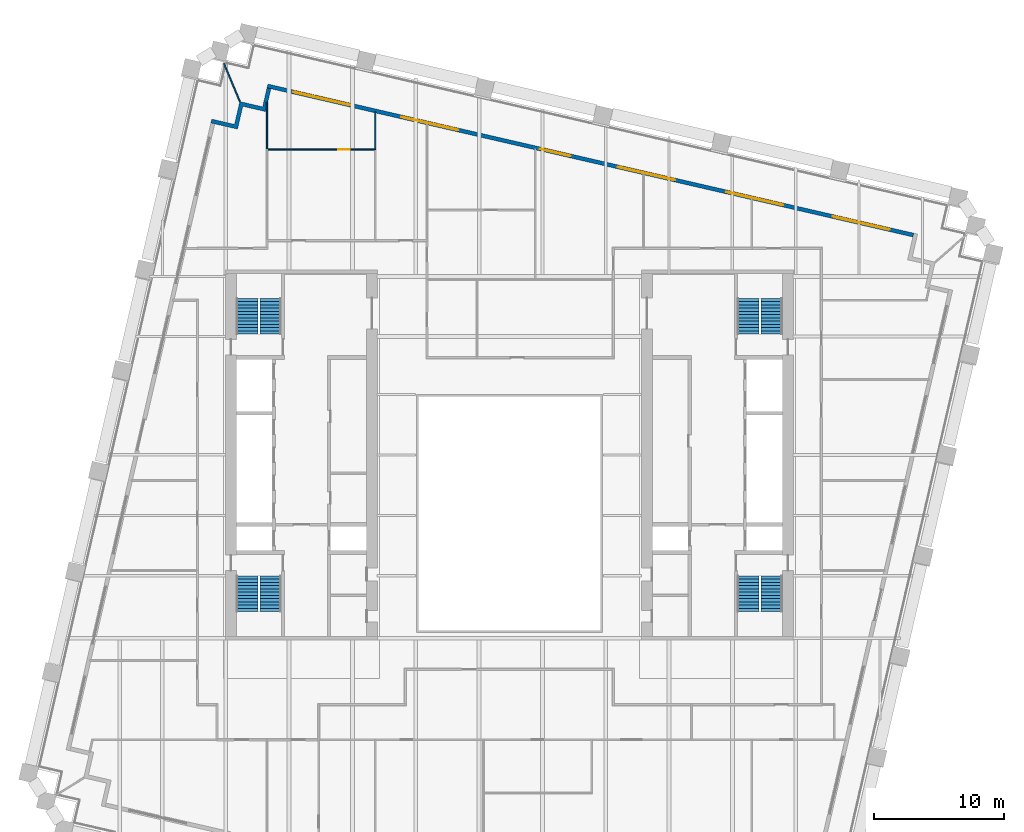
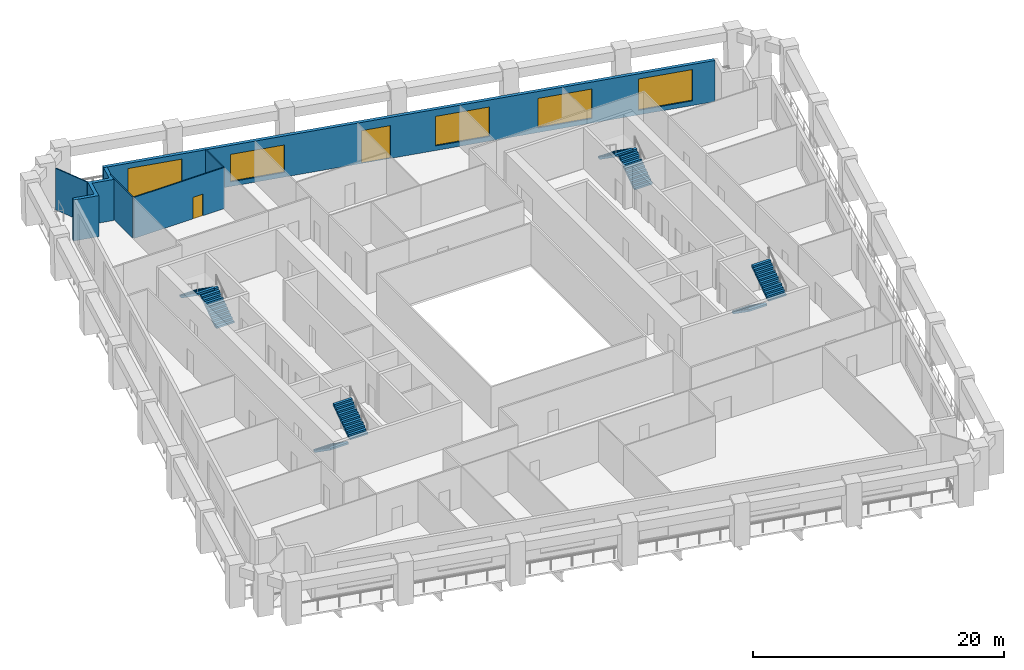
# One storey, part 9 of 11: 8 stair flights, 6 walls, 5 windows, 2 doors, 7 openings, 4 elements without a shape of their own.
"""IFC4 building model written with IfcOpenShell, lengths in metres."""

from ifc_helpers import new_model, si_unit, direction, frame, frame_2d, origin, place, context, subcontext, project, spatial, polyline, rectangle, outline, extrude, material, layer, layer_set, type_object, element, fill, aggregate, save


model = new_model("IFC4")

# Units and contexts
model_context = context("Model", 3, precision=1e-05, world=origin(), true_north=direction((0.0, 1.0)))
body_context = subcontext(model_context, "Body", "Model", "MODEL_VIEW")
ifc_project = project(units=[si_unit("LENGTHUNIT", "METRE"), si_unit("AREAUNIT", "SQUARE_METRE"), si_unit("VOLUMEUNIT", "CUBIC_METRE"), si_unit("PLANEANGLEUNIT", "RADIAN"), si_unit("MASSUNIT", "GRAM", prefix="KILO")], contexts=[model_context])

# Site, building, storey
site_placement = place(None, origin())
site = spatial("IfcSite", under=ifc_project, at=site_placement, CompositionType="ELEMENT")
building_placement = place(site_placement, origin())
building = spatial("IfcBuilding", under=site, at=building_placement, Name="Ogive Exchange Tower", CompositionType="ELEMENT")
storey_placement = place(building_placement, frame((0.0, 0.0, 109.800048828125)))
storey = spatial("IfcBuildingStorey", under=building, at=storey_placement, Name="L23", CompositionType="ELEMENT", Elevation=109.800048828125)

# Wall, openings, door, windows
ifc_material_1 = material(Name="Precast concrete C40/50", Category="concrete")
ifc_layer_1 = layer(ifc_material_1, 0.300048828125)
ifc_layer_set_1 = layer_set([ifc_layer_1], Name="Limestone-faced wall 300")
wall_type_1 = type_object("IfcWallType", Name="Limestone-faced wall 300", PredefinedType="STANDARD", material=ifc_layer_set_1)
wall_1_placement = place(storey_placement, frame((31.07763671875, 28.4208984375, 0.0), z_axis=(0.0, 0.0, 1.0), x_axis=(-0.974370456532, 0.224949357493, 0.0)))
wall_1 = element("IfcWall", 1, at=wall_1_placement, inside=storey, type_object=wall_type_1, Name="External wall N3", PredefinedType="STANDARD", context=body_context, shape_type="SweptSolid", body=[
    extrude(rectangle(XDim=51.0, YDim=0.300048828125, at=frame_2d((25.5, 0.0))), origin(), (0.0, 0.0, 1.0), 4.0),
])
opening_1_placement = place(wall_1_placement, frame((1.875, 0.0, 0.449951171875)))
opening_1 = element("IfcOpeningElement", 2, at=opening_1_placement, cuts=wall_1, Name="Opening W1", PredefinedType="OPENING", context=body_context, shape_type="SweptSolid", body=[
    extrude(rectangle(XDim=4.5, YDim=3.050048828125, at=frame_2d((2.25, 1.52490234375))), frame((0.0, 0.159912109375, 0.0), z_axis=(0.0, -1.0, 0.0), x_axis=(1.0, 0.0, 0.0)), (0.0, 0.0, 1.0), 0.320068359375),
])
opening_2_placement = place(wall_1_placement, frame((10.27490234375, 0.0, 0.449951171875)))
opening_2 = element("IfcOpeningElement", 3, at=opening_2_placement, cuts=wall_1, Name="Opening W1D", PredefinedType="OPENING", context=body_context, shape_type="SweptSolid", body=[
    extrude(rectangle(XDim=4.5, YDim=2.875, at=frame_2d((2.25, 1.4375))), frame((0.0, 0.159912109375, 0.0), z_axis=(0.0, -1.0, 0.0), x_axis=(1.0, 0.0, 0.0)), (0.0, 0.0, 1.0), 0.320068359375),
])
opening_3_placement = place(wall_1_placement, frame((18.824951171875, 0.0, 0.449951171875)))
opening_3 = element("IfcOpeningElement", 4, at=opening_3_placement, cuts=wall_1, Name="Opening W1D", PredefinedType="OPENING", context=body_context, shape_type="SweptSolid", body=[
    extrude(rectangle(XDim=4.5, YDim=2.875, at=frame_2d((2.25, 1.4375))), frame((0.0, 0.159912109375, 0.0), z_axis=(0.0, -1.0, 0.0), x_axis=(1.0, 0.0, 0.0)), (0.0, 0.0, 1.0), 0.320068359375),
])
opening_4_placement = place(wall_1_placement, frame((27.074951171875, 0.0, 0.0)))
opening_4 = element("IfcOpeningElement", 5, at=opening_4_placement, cuts=wall_1, Name="Opening D1H", PredefinedType="OPENING", context=body_context, shape_type="SweptSolid", body=[
    extrude(rectangle(XDim=2.39990234375, YDim=3.199951171875, at=frame_2d((1.199951171875, 1.60009765625))), frame((0.0, 0.159912109375, 0.0), z_axis=(0.0, -1.0, 0.0), x_axis=(1.0, 0.0, 0.0)), (0.0, 0.0, 1.0), 0.320068359375),
])
opening_5_placement = place(wall_1_placement, frame((35.925048828125, 0.0, 0.449951171875)))
opening_5 = element("IfcOpeningElement", 6, at=opening_5_placement, cuts=wall_1, Name="Opening W1J", PredefinedType="OPENING", context=body_context, shape_type="SweptSolid", body=[
    extrude(rectangle(XDim=4.5, YDim=2.675048828125, at=frame_2d((2.25, 1.33740234375))), frame((0.0, 0.159912109375, 0.0), z_axis=(0.0, -1.0, 0.0), x_axis=(1.0, 0.0, 0.0)), (0.0, 0.0, 1.0), 0.320068359375),
])
opening_6_placement = place(wall_1_placement, frame((44.47509765625, 0.0, 0.449951171875)))
opening_6 = element("IfcOpeningElement", 7, at=opening_6_placement, cuts=wall_1, Name="Opening W1", PredefinedType="OPENING", context=body_context, shape_type="SweptSolid", body=[
    extrude(rectangle(XDim=4.5, YDim=3.050048828125, at=frame_2d((2.25, 1.52490234375))), frame((0.0, 0.159912109375, 0.0), z_axis=(0.0, -1.0, 0.0), x_axis=(1.0, 0.0, 0.0)), (0.0, 0.0, 1.0), 0.320068359375),
])
ifc_material_2 = material(Name="Clear glass in bronze frame", Category="glass")
door_type_1 = type_object("IfcDoorType", Name="Sliding loggia door 2400 x 3200", OperationType="DOUBLE_DOOR_SLIDING", PredefinedType="DOOR", material=ifc_material_2)
door_1_placement = place(opening_4_placement, origin())
door_1 = element("IfcDoor", 8, at=door_1_placement, inside=storey, type_object=door_type_1, Name="Loggia door N03", OperationType="DOUBLE_DOOR_SLIDING", OverallHeight=3.199951171875, OverallWidth=2.39990234375, PredefinedType="DOOR", context=body_context, shape_type="SweptSolid", body=[
    extrude(rectangle(XDim=2.39990234375, YDim=3.199951171875, at=frame_2d((1.199951171875, 1.60009765625))), frame((0.0, 0.02490234375, 0.0), z_axis=(0.0, -1.0, 0.0), x_axis=(1.0, 0.0, 0.0)), (0.0, 0.0, 1.0), 0.050048828125),
])
fill(opening_4, door_1)
window_type_1 = type_object("IfcWindowType", Name="Twin lancet window 4500 x 2675", PartitioningType="DOUBLE_PANEL_VERTICAL", PredefinedType="WINDOW", material=ifc_material_2)
window_1_placement = place(opening_5_placement, origin())
window_1 = element("IfcWindow", 9, at=window_1_placement, inside=storey, type_object=window_type_1, Name="Window N04", OverallHeight=2.675048828125, OverallWidth=4.5, PartitioningType="DOUBLE_PANEL_VERTICAL", PredefinedType="WINDOW", context=body_context, shape_type="SweptSolid", body=[
    extrude(rectangle(XDim=4.5, YDim=2.675048828125, at=frame_2d((2.25, 1.33740234375))), frame((0.0, 0.030029296875, 0.0), z_axis=(0.0, -1.0, 0.0), x_axis=(1.0, 0.0, 0.0)), (0.0, 0.0, 1.0), 0.06005859375),
])
fill(opening_5, window_1)
window_type_2 = type_object("IfcWindowType", Name="Twin lancet window 4500 x 2875", PartitioningType="DOUBLE_PANEL_VERTICAL", PredefinedType="WINDOW", material=ifc_material_2)
window_2_placement = place(opening_2_placement, origin())
window_2 = element("IfcWindow", 10, at=window_2_placement, inside=storey, type_object=window_type_2, Name="Window N01", OverallHeight=2.875, OverallWidth=4.5, PartitioningType="DOUBLE_PANEL_VERTICAL", PredefinedType="WINDOW", context=body_context, shape_type="SweptSolid", body=[
    extrude(rectangle(XDim=4.5, YDim=2.875, at=frame_2d((2.25, 1.4375))), frame((0.0, 0.030029296875, 0.0), z_axis=(0.0, -1.0, 0.0), x_axis=(1.0, 0.0, 0.0)), (0.0, 0.0, 1.0), 0.06005859375),
])
fill(opening_2, window_2)
window_3_placement = place(opening_3_placement, origin())
window_3 = element("IfcWindow", 11, at=window_3_placement, inside=storey, type_object=window_type_2, Name="Window N02", OverallHeight=2.875, OverallWidth=4.5, PartitioningType="DOUBLE_PANEL_VERTICAL", PredefinedType="WINDOW", context=body_context, shape_type="SweptSolid", body=[
    extrude(rectangle(XDim=4.5, YDim=2.875, at=frame_2d((2.25, 1.4375))), frame((0.0, 0.030029296875, 0.0), z_axis=(0.0, -1.0, 0.0), x_axis=(1.0, 0.0, 0.0)), (0.0, 0.0, 1.0), 0.06005859375),
])
fill(opening_3, window_3)
window_type_3 = type_object("IfcWindowType", Name="Twin lancet window 4500 x 3050", PartitioningType="DOUBLE_PANEL_VERTICAL", PredefinedType="WINDOW", material=ifc_material_2)
window_4_placement = place(opening_1_placement, origin())
window_4 = element("IfcWindow", 12, at=window_4_placement, inside=storey, type_object=window_type_3, Name="Window N00", OverallHeight=3.050048828125, OverallWidth=4.5, PartitioningType="DOUBLE_PANEL_VERTICAL", PredefinedType="WINDOW", context=body_context, shape_type="SweptSolid", body=[
    extrude(rectangle(XDim=4.5, YDim=3.050048828125, at=frame_2d((2.25, 1.52490234375))), frame((0.0, 0.030029296875, 0.0), z_axis=(0.0, -1.0, 0.0), x_axis=(1.0, 0.0, 0.0)), (0.0, 0.0, 1.0), 0.06005859375),
])
fill(opening_1, window_4)
window_5_placement = place(opening_6_placement, origin())
window_5 = element("IfcWindow", 13, at=window_5_placement, inside=storey, type_object=window_type_3, Name="Window N05", OverallHeight=3.050048828125, OverallWidth=4.5, PartitioningType="DOUBLE_PANEL_VERTICAL", PredefinedType="WINDOW", context=body_context, shape_type="SweptSolid", body=[
    extrude(rectangle(XDim=4.5, YDim=3.050048828125, at=frame_2d((2.25, 1.52490234375))), frame((0.0, 0.030029296875, 0.0), z_axis=(0.0, -1.0, 0.0), x_axis=(1.0, 0.0, 0.0)), (0.0, 0.0, 1.0), 0.06005859375),
])
fill(opening_6, window_5)

# Walls
wall_2_placement = place(storey_placement, origin())
element("IfcWall", 14, at=wall_2_placement, inside=storey, type_object=wall_type_1, Name="External corner wall C3", PredefinedType="STANDARD", context=body_context, shape_type="SweptSolid", body=[
    extrude(outline(polyline([(-22.966552734375, 37.04931640625), (-22.89892578125, 37.341552734375), (-21.145263671875, 36.936767578125), (-20.740234375, 38.690673828125), (-18.986328125, 38.28564453125), (-18.64892578125, 39.747314453125), (-18.356689453125, 39.6796875), (-18.76171875, 37.92578125), (-20.515380859375, 38.330810546875), (-20.92041015625, 36.576904296875), (-22.966552734375, 37.04931640625)])), origin(), (0.0, 0.0, 1.0), 4.0),
])
ifc_material_3 = material(Name="Laminated safety glass in steel frame", Category="steel")
ifc_layer_2 = layer(ifc_material_3, 0.10009765625)
ifc_layer_set_2 = layer_set([ifc_layer_2], Name="Loggia end screen 100")
wall_type_2 = type_object("IfcWallType", Name="Loggia end screen 100", PredefinedType="STANDARD", material=ifc_layer_set_2)
wall_3_placement = place(storey_placement, frame((-20.740234375, 38.690673828125, -0.050048828125), z_axis=(0.0, 0.0, 1.0), x_axis=(-0.387594601634, 0.92182993268, 0.0)))
element("IfcWall", 15, at=wall_3_placement, inside=storey, type_object=wall_type_2, Name="Loggia end screen C3", PredefinedType="STANDARD", context=body_context, shape_type="SweptSolid", body=[
    extrude(rectangle(XDim=3.163330078125, YDim=0.10009765625, at=frame_2d((1.58154296875, 0.0))), origin(), (0.0, 0.0, 1.0), 4.050048828125),
])
ifc_material_4 = material(Name="Partition 100 gypsum")
ifc_layer_3 = layer(ifc_material_4, 0.10009765625)
ifc_layer_set_3 = layer_set([ifc_layer_3], Name="Partition 100 gypsum")
wall_type_3 = type_object("IfcWallType", Name="Partition 100 gypsum", PredefinedType="PARTITIONING", material=ifc_layer_set_3)
wall_4_placement = place(storey_placement, frame((-18.64990234375, 35.050048828125, 0.0), z_axis=(0.0, 0.0, 1.0), x_axis=(0.0, 1.0, 0.0)))
element("IfcWall", 16, at=wall_4_placement, inside=storey, type_object=wall_type_3, Name="L23-PWL-020", PredefinedType="PARTITIONING", context=body_context, shape_type="SweptSolid", body=[
    extrude(rectangle(XDim=3.60400390625, YDim=0.10009765625, at=frame_2d((1.802001953125, 0.0))), origin(), (0.0, 0.0, 1.0), 4.0),
])

# Wall, opening, door
wall_5_placement = place(storey_placement, frame((-18.60009765625, 35.0, 0.0), z_axis=(0.0, 0.0, 1.0), x_axis=(1.0, 0.0, 0.0)))
wall_5 = element("IfcWall", 17, at=wall_5_placement, inside=storey, type_object=wall_type_3, Name="L23-PWL-021", PredefinedType="PARTITIONING", context=body_context, shape_type="SweptSolid", body=[
    extrude(rectangle(XDim=8.330078125, YDim=0.10009765625, at=frame_2d((4.1650390625, 0.0))), origin(), (0.0, 0.0, 1.0), 4.0),
])
opening_7_placement = place(wall_5_placement, frame((5.429931640625, 0.0, 0.0)))
opening_7 = element("IfcOpeningElement", 18, at=opening_7_placement, cuts=wall_5, Name="Opening L23-I13", PredefinedType="OPENING", context=body_context, shape_type="SweptSolid", body=[
    extrude(rectangle(XDim=0.89990234375, YDim=2.10009765625, at=frame_2d((0.449951171875, 1.050048828125))), frame((0.0, 0.06005859375, 0.0), z_axis=(0.0, -1.0, 0.0), x_axis=(1.0, 0.0, 0.0)), (0.0, 0.0, 1.0), 0.1201171875),
])
ifc_material_5 = material(Name="Door 900 x 2100")
door_type_2 = type_object("IfcDoorType", Name="Door 900 x 2100", OperationType="NOTDEFINED", PredefinedType="DOOR", material=ifc_material_5)
door_2_placement = place(opening_7_placement, origin())
door_2 = element("IfcDoor", 19, at=door_2_placement, inside=storey, type_object=door_type_2, Name="L23-IDR-013", ObjectType="DT1", OperationType="SINGLE_SWING_LEFT", OverallHeight=2.10009765625, OverallWidth=0.89990234375, PredefinedType="DOOR", context=body_context, shape_type="SweptSolid", body=[
    extrude(rectangle(XDim=0.89990234375, YDim=2.10009765625, at=frame_2d((0.449951171875, 1.050048828125))), frame((0.0, 0.02490234375, 0.0), z_axis=(0.0, -1.0, 0.0), x_axis=(1.0, 0.0, 0.0)), (0.0, 0.0, 1.0), 0.050048828125),
])
fill(opening_7, door_2)

# Wall
wall_6_placement = place(storey_placement, frame((-10.320068359375, 35.050048828125, 0.0), z_axis=(0.0, 0.0, 1.0), x_axis=(0.0, 1.0, 0.0)))
element("IfcWall", 20, at=wall_6_placement, inside=storey, type_object=wall_type_3, Name="L23-PWL-029", PredefinedType="PARTITIONING", context=body_context, shape_type="SweptSolid", body=[
    extrude(rectangle(XDim=2.85693359375, YDim=0.10009765625, at=frame_2d((1.428466796875, 0.0))), origin(), (0.0, 0.0, 1.0), 4.0),
])

# Stair, stair flights
ifc_material_6 = material(Name="Concrete C40/50", Category="concrete")
stair_type = type_object("IfcStairType", Name="Exit stair 1650 wide", PredefinedType="HALF_TURN_STAIR", material=ifc_material_6)
stair_1_placement = place(storey_placement, origin())
stair_1 = element("IfcStair", 21, at=stair_1_placement, inside=storey, type_object=stair_type, Name="L23 exit stair ST1", PredefinedType="HALF_TURN_STAIR")
stair_flight_type = type_object("IfcStairFlightType", Name="Stair flight 1650 wide", PredefinedType="STRAIGHT", material=ifc_material_6)
stair_flight_1_placement = place(storey_placement, frame((-20.175048828125, 2.199951171875, 0.0), z_axis=(0.0, 0.0, 1.0), x_axis=(0.0, -1.0, 0.0)))
stair_flight_1 = element("IfcStairFlight", 22, at=stair_flight_1_placement, type_object=stair_flight_type, Name="ST1 flight 1", NumberOfRisers=12, NumberOfTreads=11, PredefinedType="STRAIGHT", RiserHeight=0.175, TreadLength=0.25, context=body_context, shape_type="SweptSolid", body=[
    extrude(outline(polyline([(0.0, 0.0), (0.0, 0.175048828125), (0.25, 0.175048828125), (0.25, 0.35009765625), (0.5, 0.35009765625), (0.5, 0.52490234375), (0.75, 0.52490234375), (0.75, 0.699951171875), (1.0, 0.699951171875), (1.0, 0.875), (1.25, 0.875), (1.25, 1.050048828125), (1.5, 1.050048828125), (1.5, 1.22509765625), (1.75, 1.22509765625), (1.75, 1.39990234375), (2.0, 1.39990234375), (2.0, 1.574951171875), (2.25, 1.574951171875), (2.25, 1.75), (2.5, 1.75), (2.5, 1.925048828125), (2.75, 1.925048828125), (2.75, 2.10009765625), (2.75, 1.741943359375), (0.261474609375, 0.0), (0.0, 0.0)])), frame((0.0, 0.824951171875, 0.0), z_axis=(0.0, -1.0, 0.0), x_axis=(1.0, 0.0, 0.0)), (0.0, 0.0, 1.0), 1.64990234375),
])
stair_flight_2_placement = place(storey_placement, frame((-18.375, -0.550048828125, 2.099853515625), z_axis=(0.0, 0.0, 1.0), x_axis=(0.0, 1.0, 0.0)))
stair_flight_2 = element("IfcStairFlight", 23, at=stair_flight_2_placement, type_object=stair_flight_type, Name="ST1 flight 2", NumberOfRisers=12, NumberOfTreads=11, PredefinedType="STRAIGHT", RiserHeight=0.175, TreadLength=0.25, context=body_context, shape_type="SweptSolid", body=[
    extrude(outline(polyline([(0.0, 0.0), (0.0, 0.175048828125), (0.25, 0.175048828125), (0.25, 0.35009765625), (0.5, 0.35009765625), (0.5, 0.52490234375), (0.75, 0.52490234375), (0.75, 0.699951171875), (1.0, 0.699951171875), (1.0, 0.875), (1.25, 0.875), (1.25, 1.050048828125), (1.5, 1.050048828125), (1.5, 1.22509765625), (1.75, 1.22509765625), (1.75, 1.39990234375), (2.0, 1.39990234375), (2.0, 1.574951171875), (2.25, 1.574951171875), (2.25, 1.75), (2.5, 1.75), (2.5, 1.925048828125), (2.75, 1.925048828125), (2.75, 2.10009765625), (2.75, 1.741943359375), (0.261474609375, 0.0), (0.0, 0.0)])), frame((0.0, 0.824951171875, 0.0), z_axis=(0.0, -1.0, 0.0), x_axis=(1.0, 0.0, 0.0)), (0.0, 0.0, 1.0), 1.64990234375),
])
aggregate(stair_1, [stair_flight_1, stair_flight_2])

stair_2_placement = place(storey_placement, origin())
stair_2 = element("IfcStair", 24, at=stair_2_placement, inside=storey, type_object=stair_type, Name="L23 exit stair ST2", PredefinedType="HALF_TURN_STAIR")
stair_flight_3_placement = place(storey_placement, frame((-18.375, 20.800048828125, 0.0), z_axis=(0.0, 0.0, 1.0), x_axis=(0.0, 1.0, 0.0)))
stair_flight_3 = element("IfcStairFlight", 25, at=stair_flight_3_placement, type_object=stair_flight_type, Name="ST2 flight 1", NumberOfRisers=12, NumberOfTreads=11, PredefinedType="STRAIGHT", RiserHeight=0.175, TreadLength=0.25, context=body_context, shape_type="SweptSolid", body=[
    extrude(outline(polyline([(0.0, 0.0), (0.0, 0.175048828125), (0.25, 0.175048828125), (0.25, 0.35009765625), (0.5, 0.35009765625), (0.5, 0.52490234375), (0.75, 0.52490234375), (0.75, 0.699951171875), (1.0, 0.699951171875), (1.0, 0.875), (1.25, 0.875), (1.25, 1.050048828125), (1.5, 1.050048828125), (1.5, 1.22509765625), (1.75, 1.22509765625), (1.75, 1.39990234375), (2.0, 1.39990234375), (2.0, 1.574951171875), (2.25, 1.574951171875), (2.25, 1.75), (2.5, 1.75), (2.5, 1.925048828125), (2.75, 1.925048828125), (2.75, 2.10009765625), (2.75, 1.741943359375), (0.261474609375, 0.0), (0.0, 0.0)])), frame((0.0, 0.824951171875, 0.0), z_axis=(0.0, -1.0, 0.0), x_axis=(1.0, 0.0, 0.0)), (0.0, 0.0, 1.0), 1.64990234375),
])
stair_flight_4_placement = place(storey_placement, frame((-20.175048828125, 23.550048828125, 2.099853515625), z_axis=(0.0, 0.0, 1.0), x_axis=(0.0, -1.0, 0.0)))
stair_flight_4 = element("IfcStairFlight", 26, at=stair_flight_4_placement, type_object=stair_flight_type, Name="ST2 flight 2", NumberOfRisers=12, NumberOfTreads=11, PredefinedType="STRAIGHT", RiserHeight=0.175, TreadLength=0.25, context=body_context, shape_type="SweptSolid", body=[
    extrude(outline(polyline([(0.0, 0.0), (0.0, 0.175048828125), (0.25, 0.175048828125), (0.25, 0.35009765625), (0.5, 0.35009765625), (0.5, 0.52490234375), (0.75, 0.52490234375), (0.75, 0.699951171875), (1.0, 0.699951171875), (1.0, 0.875), (1.25, 0.875), (1.25, 1.050048828125), (1.5, 1.050048828125), (1.5, 1.22509765625), (1.75, 1.22509765625), (1.75, 1.39990234375), (2.0, 1.39990234375), (2.0, 1.574951171875), (2.25, 1.574951171875), (2.25, 1.75), (2.5, 1.75), (2.5, 1.925048828125), (2.75, 1.925048828125), (2.75, 2.10009765625), (2.75, 1.741943359375), (0.261474609375, 0.0), (0.0, 0.0)])), frame((0.0, 0.824951171875, 0.0), z_axis=(0.0, -1.0, 0.0), x_axis=(1.0, 0.0, 0.0)), (0.0, 0.0, 1.0), 1.64990234375),
])
aggregate(stair_2, [stair_flight_3, stair_flight_4])

stair_3_placement = place(storey_placement, origin())
stair_3 = element("IfcStair", 27, at=stair_3_placement, inside=storey, type_object=stair_type, Name="L23 exit stair ST3", PredefinedType="HALF_TURN_STAIR")
stair_flight_5_placement = place(storey_placement, frame((18.375, 2.199951171875, 0.0), z_axis=(0.0, 0.0, 1.0), x_axis=(0.0, -1.0, 0.0)))
stair_flight_5 = element("IfcStairFlight", 28, at=stair_flight_5_placement, type_object=stair_flight_type, Name="ST3 flight 1", NumberOfRisers=12, NumberOfTreads=11, PredefinedType="STRAIGHT", RiserHeight=0.175, TreadLength=0.25, context=body_context, shape_type="SweptSolid", body=[
    extrude(outline(polyline([(0.0, 0.0), (0.0, 0.175048828125), (0.25, 0.175048828125), (0.25, 0.35009765625), (0.5, 0.35009765625), (0.5, 0.52490234375), (0.75, 0.52490234375), (0.75, 0.699951171875), (1.0, 0.699951171875), (1.0, 0.875), (1.25, 0.875), (1.25, 1.050048828125), (1.5, 1.050048828125), (1.5, 1.22509765625), (1.75, 1.22509765625), (1.75, 1.39990234375), (2.0, 1.39990234375), (2.0, 1.574951171875), (2.25, 1.574951171875), (2.25, 1.75), (2.5, 1.75), (2.5, 1.925048828125), (2.75, 1.925048828125), (2.75, 2.10009765625), (2.75, 1.741943359375), (0.261474609375, 0.0), (0.0, 0.0)])), frame((0.0, 0.824951171875, 0.0), z_axis=(0.0, -1.0, 0.0), x_axis=(1.0, 0.0, 0.0)), (0.0, 0.0, 1.0), 1.64990234375),
])
stair_flight_6_placement = place(storey_placement, frame((20.175048828125, -0.550048828125, 2.099853515625), z_axis=(0.0, 0.0, 1.0), x_axis=(0.0, 1.0, 0.0)))
stair_flight_6 = element("IfcStairFlight", 29, at=stair_flight_6_placement, type_object=stair_flight_type, Name="ST3 flight 2", NumberOfRisers=12, NumberOfTreads=11, PredefinedType="STRAIGHT", RiserHeight=0.175, TreadLength=0.25, context=body_context, shape_type="SweptSolid", body=[
    extrude(outline(polyline([(0.0, 0.0), (0.0, 0.175048828125), (0.25, 0.175048828125), (0.25, 0.35009765625), (0.5, 0.35009765625), (0.5, 0.52490234375), (0.75, 0.52490234375), (0.75, 0.699951171875), (1.0, 0.699951171875), (1.0, 0.875), (1.25, 0.875), (1.25, 1.050048828125), (1.5, 1.050048828125), (1.5, 1.22509765625), (1.75, 1.22509765625), (1.75, 1.39990234375), (2.0, 1.39990234375), (2.0, 1.574951171875), (2.25, 1.574951171875), (2.25, 1.75), (2.5, 1.75), (2.5, 1.925048828125), (2.75, 1.925048828125), (2.75, 2.10009765625), (2.75, 1.741943359375), (0.261474609375, 0.0), (0.0, 0.0)])), frame((0.0, 0.824951171875, 0.0), z_axis=(0.0, -1.0, 0.0), x_axis=(1.0, 0.0, 0.0)), (0.0, 0.0, 1.0), 1.64990234375),
])
aggregate(stair_3, [stair_flight_5, stair_flight_6])

stair_4_placement = place(storey_placement, origin())
stair_4 = element("IfcStair", 30, at=stair_4_placement, inside=storey, type_object=stair_type, Name="L23 exit stair ST4", PredefinedType="HALF_TURN_STAIR")
stair_flight_7_placement = place(storey_placement, frame((20.175048828125, 20.800048828125, 0.0), z_axis=(0.0, 0.0, 1.0), x_axis=(0.0, 1.0, 0.0)))
stair_flight_7 = element("IfcStairFlight", 31, at=stair_flight_7_placement, type_object=stair_flight_type, Name="ST4 flight 1", NumberOfRisers=12, NumberOfTreads=11, PredefinedType="STRAIGHT", RiserHeight=0.175, TreadLength=0.25, context=body_context, shape_type="SweptSolid", body=[
    extrude(outline(polyline([(0.0, 0.0), (0.0, 0.175048828125), (0.25, 0.175048828125), (0.25, 0.35009765625), (0.5, 0.35009765625), (0.5, 0.52490234375), (0.75, 0.52490234375), (0.75, 0.699951171875), (1.0, 0.699951171875), (1.0, 0.875), (1.25, 0.875), (1.25, 1.050048828125), (1.5, 1.050048828125), (1.5, 1.22509765625), (1.75, 1.22509765625), (1.75, 1.39990234375), (2.0, 1.39990234375), (2.0, 1.574951171875), (2.25, 1.574951171875), (2.25, 1.75), (2.5, 1.75), (2.5, 1.925048828125), (2.75, 1.925048828125), (2.75, 2.10009765625), (2.75, 1.741943359375), (0.261474609375, 0.0), (0.0, 0.0)])), frame((0.0, 0.824951171875, 0.0), z_axis=(0.0, -1.0, 0.0), x_axis=(1.0, 0.0, 0.0)), (0.0, 0.0, 1.0), 1.64990234375),
])
stair_flight_8_placement = place(storey_placement, frame((18.375, 23.550048828125, 2.099853515625), z_axis=(0.0, 0.0, 1.0), x_axis=(0.0, -1.0, 0.0)))
stair_flight_8 = element("IfcStairFlight", 32, at=stair_flight_8_placement, type_object=stair_flight_type, Name="ST4 flight 2", NumberOfRisers=12, NumberOfTreads=11, PredefinedType="STRAIGHT", RiserHeight=0.175, TreadLength=0.25, context=body_context, shape_type="SweptSolid", body=[
    extrude(outline(polyline([(0.0, 0.0), (0.0, 0.175048828125), (0.25, 0.175048828125), (0.25, 0.35009765625), (0.5, 0.35009765625), (0.5, 0.52490234375), (0.75, 0.52490234375), (0.75, 0.699951171875), (1.0, 0.699951171875), (1.0, 0.875), (1.25, 0.875), (1.25, 1.050048828125), (1.5, 1.050048828125), (1.5, 1.22509765625), (1.75, 1.22509765625), (1.75, 1.39990234375), (2.0, 1.39990234375), (2.0, 1.574951171875), (2.25, 1.574951171875), (2.25, 1.75), (2.5, 1.75), (2.5, 1.925048828125), (2.75, 1.925048828125), (2.75, 2.10009765625), (2.75, 1.741943359375), (0.261474609375, 0.0), (0.0, 0.0)])), frame((0.0, 0.824951171875, 0.0), z_axis=(0.0, -1.0, 0.0), x_axis=(1.0, 0.0, 0.0)), (0.0, 0.0, 1.0), 1.64990234375),
])
aggregate(stair_4, [stair_flight_7, stair_flight_8])

save(model, "model.ifc")
